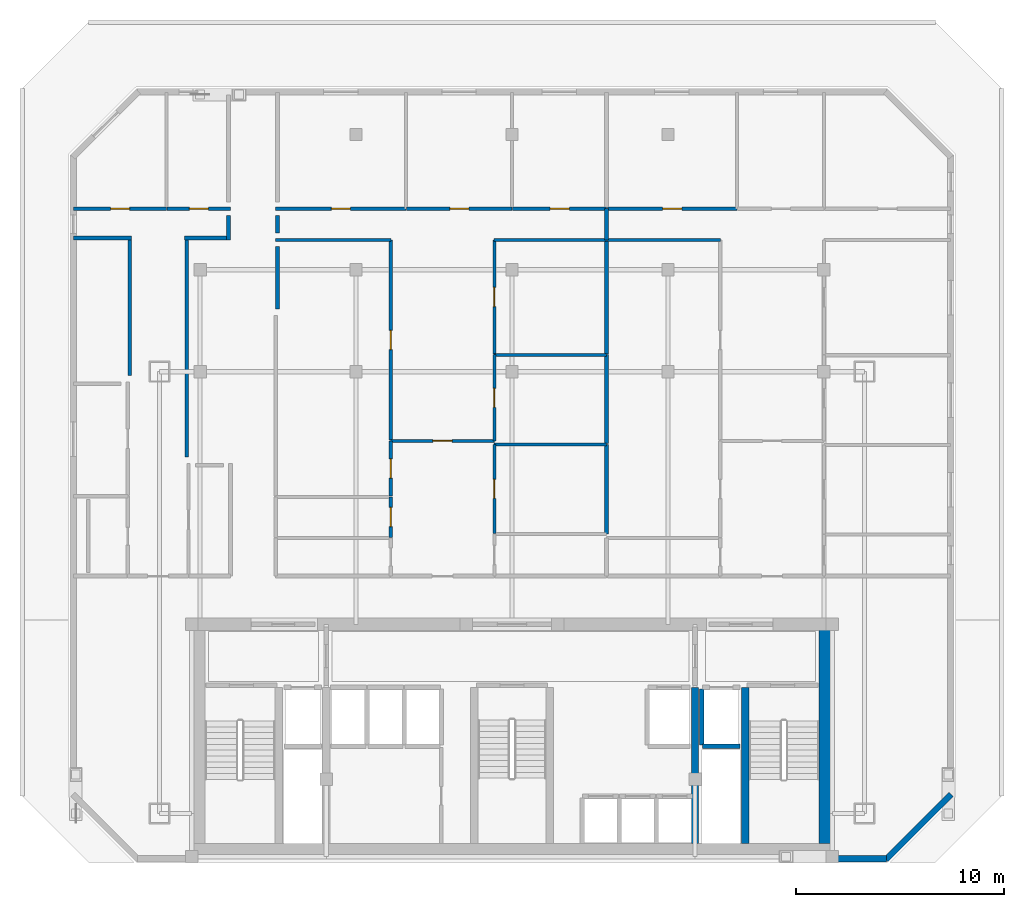
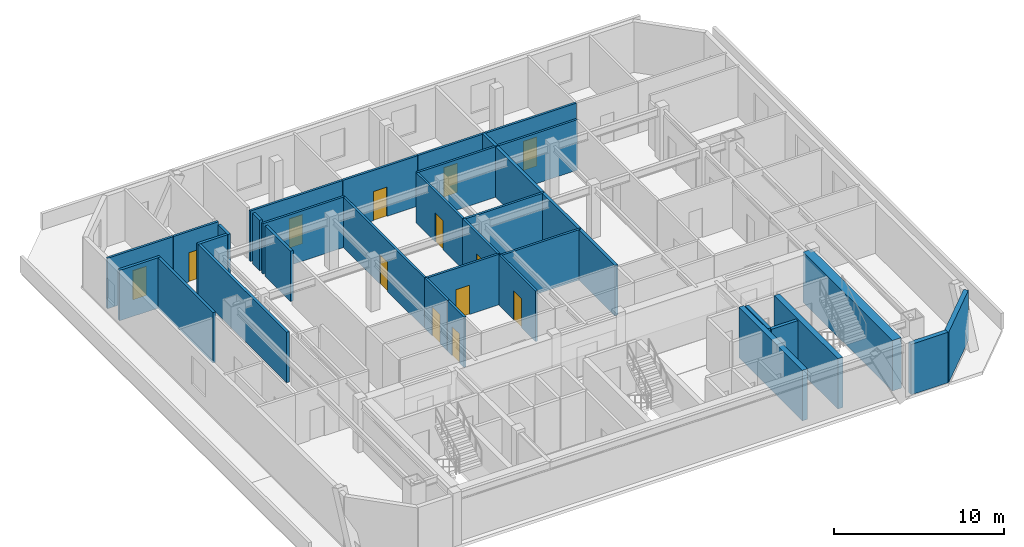
# One storey, part 4 of 7: 36 walls, 13 doors, 13 openings.
"""IFC4 building model written with IfcOpenShell, lengths in metres."""

from ifc_helpers import new_model, si_unit, direction, frame, frame_2d, origin, place, context, subcontext, project, spatial, rectangle, extrude, material, layer, layer_set, type_object, element, fill, save


model = new_model("IFC4")

# Units and contexts
model_context = context("Model", 3, precision=1e-05, world=origin(), true_north=direction((0.0, 1.0)))
body_context = subcontext(model_context, "Body", "Model", "MODEL_VIEW")
ifc_project = project(units=[si_unit("LENGTHUNIT", "METRE"), si_unit("AREAUNIT", "SQUARE_METRE"), si_unit("VOLUMEUNIT", "CUBIC_METRE"), si_unit("PLANEANGLEUNIT", "RADIAN"), si_unit("MASSUNIT", "GRAM", prefix="KILO")], contexts=[model_context])

# Site, building, storey
site_placement = place(None, origin())
site = spatial("IfcSite", under=ifc_project, at=site_placement, CompositionType="ELEMENT")
building_placement = place(site_placement, origin())
building = spatial("IfcBuilding", under=site, at=building_placement, Name="Ventersveld Concourse Tower", CompositionType="ELEMENT")
storey_placement = place(building_placement, frame((0.0, 0.0, 219.550048828125)))
storey = spatial("IfcBuildingStorey", under=building, at=storey_placement, Name="L54", CompositionType="ELEMENT", Elevation=219.550048828125)

# Walls
ifc_material_1 = material(Name="Concrete C50/60", Category="concrete")
ifc_layer_1 = layer(ifc_material_1, 0.35009765625)
ifc_layer_set_1 = layer_set([ifc_layer_1], Name="Concrete C50/60")
wall_type_1 = type_object("IfcWallType", Name="WL-CORE-350U", PredefinedType="SHEAR", material=ifc_layer_set_1)
for number, where, z_axis, x_axis, name in (
    (1, (37.550048828125, 0.919921875, 0.0), (0.0, 0.0, 1.0), (0.0, 1.0, 0.0), "L54 Core Internal Shear Web W-SVL-W"),
    (2, (39.9599609375, 0.919921875, 0.0), (0.0, 0.0, 1.0), (0.0, 1.0, 0.0), "L54 Core Internal Shear Web W-ST2-W"),
):
    element("IfcWall", number, at=place(storey_placement, frame(where, z_axis=z_axis, x_axis=x_axis)), inside=storey, type_object=wall_type_1, Name=name, PredefinedType="SHEAR", context=body_context, shape_type="SweptSolid", body=[
        extrude(rectangle(XDim=7.5, YDim=0.35009765625, at=frame_2d((3.75, 0.0))), origin(), (0.0, 0.0, 1.0), 3.6298828125),
    ])
ifc_layer_2 = layer(ifc_material_1, 0.60009765625)
ifc_layer_set_2 = layer_set([ifc_layer_2], Name="Concrete C50/60")
wall_type_2 = type_object("IfcWallType", Name="WL-CORE-600", PredefinedType="SHEAR", material=ifc_layer_set_2)
wall_1_placement = place(storey_placement, frame((43.800048828125, 0.919921875, 0.0), z_axis=(0.0, 0.0, 1.0), x_axis=(0.0, 1.0, 0.0)))
element("IfcWall", 3, at=wall_1_placement, inside=storey, type_object=wall_type_2, Name="L54 Rear Core East Shear Wall", PredefinedType="SHEAR", context=body_context, shape_type="SweptSolid", body=[
    extrude(rectangle(XDim=10.530029296875, YDim=0.60009765625, at=frame_2d((5.26513671875, 0.0))), origin(), (0.0, 0.0, 1.0), 3.6298828125),
])
ifc_material_2 = material(Name="Fire-rated autoclaved aerated masonry blockwork", Category="masonry")
ifc_layer_3 = layer(ifc_material_2, 0.179931640625)
ifc_layer_set_3 = layer_set([ifc_layer_3], Name="Fire-rated autoclaved aerated masonry blockwork")
wall_type_3 = type_object("IfcWallType", Name="WL-CORR-180", PredefinedType="PARTITIONING", material=ifc_layer_set_3)
wall_2_placement = place(storey_placement, frame((10.36572265625, 23.4208984375, 0.0), z_axis=(0.0, 0.0, 1.0), x_axis=(0.0, 1.0, 0.0)))
element("IfcWall", 4, at=wall_2_placement, inside=storey, type_object=wall_type_3, Name="L54 Room Enclosure Wall SP-L54-54NW-LIV", PredefinedType="PARTITIONING", context=body_context, shape_type="SweptSolid", body=[
    extrude(rectangle(XDim=6.694091796875, YDim=0.179931640625, at=frame_2d((3.34716796875, 0.0))), origin(), (0.0, 0.0, 1.0), 3.6298828125),
])
wall_3_placement = place(storey_placement, frame((10.460693359375, 30.02001953125, 0.0), z_axis=(0.0, 0.0, 1.0), x_axis=(-1.0, 0.0, 0.0)))
element("IfcWall", 5, at=wall_3_placement, inside=storey, type_object=wall_type_3, Name="L54 Room Enclosure Wall SP-L54-54NW-LIV", PredefinedType="PARTITIONING", context=body_context, shape_type="SweptSolid", body=[
    extrude(rectangle(XDim=2.7880859375, YDim=0.179931640625, at=frame_2d((1.39404296875, 0.0))), origin(), (0.0, 0.0, 1.0), 3.6298828125),
])
wall_4_placement = place(storey_placement, frame((15.1201171875, 31.10498046875, 0.0), z_axis=(0.0, 0.0, 1.0), x_axis=(0.0, -1.0, 0.0)))
element("IfcWall", 6, at=wall_4_placement, inside=storey, type_object=wall_type_3, Name="L54 Room Enclosure Wall SP-L54-54NW-LIV", PredefinedType="PARTITIONING", context=body_context, shape_type="SweptSolid", body=[
    extrude(rectangle(XDim=1.179931640625, YDim=0.179931640625, at=frame_2d((0.58984375, 0.0))), origin(), (0.0, 0.0, 1.0), 3.6298828125),
])
wall_5_placement = place(storey_placement, frame((15.215087890625, 30.02001953125, 0.0), z_axis=(0.0, 0.0, 1.0), x_axis=(-1.0, 0.0, 0.0)))
element("IfcWall", 7, at=wall_5_placement, inside=storey, type_object=wall_type_3, Name="L54 Room Enclosure Wall SP-L54-54NW-LIV", PredefinedType="PARTITIONING", context=body_context, shape_type="SweptSolid", body=[
    extrude(rectangle(XDim=2.203857421875, YDim=0.179931640625, at=frame_2d((1.10205078125, 0.0))), origin(), (0.0, 0.0, 1.0), 3.6298828125),
])
wall_6_placement = place(storey_placement, frame((13.106201171875, 30.114990234375, 0.0), z_axis=(0.0, 0.0, 1.0), x_axis=(0.0, -1.0, 0.0)))
element("IfcWall", 8, at=wall_6_placement, inside=storey, type_object=wall_type_3, Name="L54 Room Enclosure Wall SP-L54-54NW-LIV", PredefinedType="PARTITIONING", context=body_context, shape_type="SweptSolid", body=[
    extrude(rectangle(XDim=10.610107421875, YDim=0.179931640625, at=frame_2d((5.30517578125, 0.0))), origin(), (0.0, 0.0, 1.0), 3.6298828125),
])
wall_7_placement = place(storey_placement, frame((17.47998046875, 30.2548828125, 0.0), z_axis=(0.0, 0.0, 1.0), x_axis=(0.0, 1.0, 0.0)))
element("IfcWall", 9, at=wall_7_placement, inside=storey, type_object=wall_type_3, Name="L54 Room Enclosure Wall SP-L54-54N1-LIV", PredefinedType="PARTITIONING", context=body_context, shape_type="SweptSolid", body=[
    extrude(rectangle(XDim=0.85009765625, YDim=0.179931640625, at=frame_2d((0.425048828125, 0.0))), origin(), (0.0, 0.0, 1.0), 3.6298828125),
])
wall_8_placement = place(storey_placement, frame((17.47998046875, 26.60986328125, 0.0), z_axis=(0.0, 0.0, 1.0), x_axis=(0.0, 1.0, 0.0)))
element("IfcWall", 10, at=wall_8_placement, inside=storey, type_object=wall_type_3, Name="L54 Room Enclosure Wall SP-L54-54N1-DENL", PredefinedType="PARTITIONING", context=body_context, shape_type="SweptSolid", body=[
    extrude(rectangle(XDim=2.9951171875, YDim=0.179931640625, at=frame_2d((1.49755859375, 0.0))), origin(), (0.0, 0.0, 1.0), 3.6298828125),
])
ifc_layer_4 = layer(ifc_material_2, 0.199951171875)
ifc_layer_set_4 = layer_set([ifc_layer_4], Name="Fire-rated autoclaved aerated masonry blockwork")
wall_type_4 = type_object("IfcWallType", Name="WL-DEMISE-200", PredefinedType="PARTITIONING", material=ifc_layer_set_4)
wall_9_placement = place(storey_placement, frame((33.300048828125, 29.925048828125, 0.0), z_axis=(0.0, 0.0, 1.0), x_axis=(0.0, 1.0, 0.0)))
element("IfcWall", 11, at=wall_9_placement, inside=storey, type_object=wall_type_4, Name="L54 Interior Partition SP-L54-54N1-LIV-SP-L54-54N2-LIV", PredefinedType="PARTITIONING", context=body_context, shape_type="SweptSolid", body=[
    extrude(rectangle(XDim=1.510009765625, YDim=0.199951171875, at=frame_2d((0.7548828125, 0.0))), origin(), (0.0, 0.0, 1.0), 3.6298828125),
])
wall_10_placement = place(storey_placement, frame((33.300048828125, 15.7841796875, 0.0), z_axis=(0.0, 0.0, 1.0), x_axis=(0.0, 1.0, 0.0)))
element("IfcWall", 12, at=wall_10_placement, inside=storey, type_object=wall_type_4, Name="L54 Interior Partition SP-L54-54N1-DENR-SP-L54-54N2-DENL", PredefinedType="PARTITIONING", context=body_context, shape_type="SweptSolid", body=[
    extrude(rectangle(XDim=4.319091796875, YDim=0.199951171875, at=frame_2d((2.15966796875, 0.0))), origin(), (0.0, 0.0, 1.0), 3.6298828125),
])
wall_11_placement = place(storey_placement, frame((33.300048828125, 20.13330078125, 0.0), z_axis=(0.0, 0.0, 1.0), x_axis=(0.0, 1.0, 0.0)))
element("IfcWall", 13, at=wall_11_placement, inside=storey, type_object=wall_type_4, Name="L54 Interior Partition SP-L54-54N1-DENS-SP-L54-54N2-DENL", PredefinedType="PARTITIONING", context=body_context, shape_type="SweptSolid", body=[
    extrude(rectangle(XDim=4.27880859375, YDim=0.199951171875, at=frame_2d((2.139404296875, 0.0))), origin(), (0.0, 0.0, 1.0), 3.6298828125),
])
wall_12_placement = place(storey_placement, frame((33.300048828125, 24.442138671875, 0.0), z_axis=(0.0, 0.0, 1.0), x_axis=(0.0, 1.0, 0.0)))
element("IfcWall", 14, at=wall_12_placement, inside=storey, type_object=wall_type_4, Name="L54 Interior Partition SP-L54-54N1-DENS2-SP-L54-54N2-DENL", PredefinedType="PARTITIONING", context=body_context, shape_type="SweptSolid", body=[
    extrude(rectangle(XDim=5.452880859375, YDim=0.199951171875, at=frame_2d((2.7265625, 0.0))), origin(), (0.0, 0.0, 1.0), 3.6298828125),
])
ifc_layer_5 = layer(ifc_material_2, 0.219970703125)
ifc_layer_set_5 = layer_set([ifc_layer_5], Name="Fire-rated autoclaved aerated masonry blockwork")
wall_type_5 = type_object("IfcWallType", Name="WL-HOIST-220", PredefinedType="SOLIDWALL", material=ifc_layer_set_5)
wall_13_placement = place(storey_placement, frame((37.919921875, 5.590087890625, 0.0), z_axis=(0.0, 0.0, 1.0), x_axis=(1.0, 0.0, 0.0)))
element("IfcWall", 15, at=wall_13_placement, inside=storey, type_object=wall_type_5, Name="L54 Lift Hoistway Back Wall FFL-02", PredefinedType="SOLIDWALL", context=body_context, shape_type="SweptSolid", body=[
    extrude(rectangle(XDim=1.780029296875, YDim=0.219970703125, at=frame_2d((0.89013671875, 0.0))), origin(), (0.0, 0.0, 1.0), 3.6298828125),
])
wall_14_placement = place(storey_placement, frame((37.8798828125, 5.64990234375, 0.0), z_axis=(0.0, 0.0, 1.0), x_axis=(0.0, 1.0, 0.0)))
element("IfcWall", 16, at=wall_14_placement, inside=storey, type_object=wall_type_5, Name="L54 Lift Hoistway Side Wall FFL-02W", PredefinedType="SOLIDWALL", context=body_context, shape_type="SweptSolid", body=[
    extrude(rectangle(XDim=2.7001953125, YDim=0.219970703125, at=frame_2d((1.35009765625, 0.0))), origin(), (0.0, 0.0, 1.0), 3.6298828125),
])

# Wall, opening, door
ifc_material_3 = material(Name="Autoclaved aerated masonry blockwork", Category="masonry")
ifc_layer_6 = layer(ifc_material_3, 0.14990234375)
ifc_layer_set_6 = layer_set([ifc_layer_6], Name="Autoclaved aerated masonry blockwork")
wall_type_6 = type_object("IfcWallType", Name="WL-INT-150", PredefinedType="PARTITIONING", material=ifc_layer_set_6)
wall_15_placement = place(storey_placement, frame((7.672607421875, 31.429931640625, 0.0), z_axis=(0.0, 0.0, 1.0), x_axis=(1.0, 0.0, 0.0)))
wall_15 = element("IfcWall", 17, at=wall_15_placement, inside=storey, type_object=wall_type_6, Name="L54 Interior Partition SP-L54-54NW-LIV-SP-L54-54NW-BR1", PredefinedType="PARTITIONING", context=body_context, shape_type="SweptSolid", body=[
    extrude(rectangle(XDim=4.46826171875, YDim=0.14990234375, at=frame_2d((2.234130859375, 0.0))), origin(), (0.0, 0.0, 1.0), 3.6298828125),
])
opening_1_placement = place(wall_15_placement, frame((1.774169921875, 0.0, 0.0)))
opening_1 = element("IfcOpeningElement", 18, at=opening_1_placement, cuts=wall_15, Name="Opening ID1", PredefinedType="OPENING", context=body_context, shape_type="SweptSolid", body=[
    extrude(rectangle(XDim=0.919921875, YDim=2.10009765625, at=frame_2d((0.4599609375, 1.050048828125))), frame((0.0, 0.0849609375, 0.0), z_axis=(0.0, -1.0, 0.0), x_axis=(1.0, 0.0, 0.0)), (0.0, 0.0, 1.0), 0.169921875),
])
ifc_material_4 = material(Name="Solid-core hardwood veneer timber", Category="wood")
door_type = type_object("IfcDoorType", Name="DR-ROOM-092", OperationType="NOTDEFINED", PredefinedType="DOOR", material=ifc_material_4)
door_1_placement = place(opening_1_placement, origin())
door_1 = element("IfcDoor", 19, at=door_1_placement, inside=storey, type_object=door_type, Name="L54 Interior Door SP-L54-54NW-LIV to SP-L54-54NW-BR1 (D-L54-2629)", OperationType="SINGLE_SWING_LEFT", OverallHeight=2.10009765625, OverallWidth=0.919921875, PredefinedType="DOOR", context=body_context, shape_type="SweptSolid", body=[
    extrude(rectangle(XDim=0.919921875, YDim=2.10009765625, at=frame_2d((0.4599609375, 1.050048828125))), frame((0.0, 0.02490234375, 0.0), z_axis=(0.0, -1.0, 0.0), x_axis=(1.0, 0.0, 0.0)), (0.0, 0.0, 1.0), 0.050048828125),
])
fill(opening_1, door_1)

wall_16_placement = place(storey_placement, frame((12.1708984375, 31.429931640625, 0.0), z_axis=(0.0, 0.0, 1.0), x_axis=(1.0, 0.0, 0.0)))
wall_16 = element("IfcWall", 20, at=wall_16_placement, inside=storey, type_object=wall_type_6, Name="L54 Interior Partition SP-L54-54NW-LIV-SP-L54-54NW-BR2", PredefinedType="PARTITIONING", context=body_context, shape_type="SweptSolid", body=[
    extrude(rectangle(XDim=3.044189453125, YDim=0.14990234375, at=frame_2d((1.52197265625, 0.0))), origin(), (0.0, 0.0, 1.0), 3.6298828125),
])
opening_2_placement = place(wall_16_placement, frame((1.06201171875, 0.0, 0.0)))
opening_2 = element("IfcOpeningElement", 21, at=opening_2_placement, cuts=wall_16, Name="Opening ID1", PredefinedType="OPENING", context=body_context, shape_type="SweptSolid", body=[
    extrude(rectangle(XDim=0.919921875, YDim=2.10009765625, at=frame_2d((0.4599609375, 1.050048828125))), frame((0.0, 0.0849609375, 0.0), z_axis=(0.0, -1.0, 0.0), x_axis=(1.0, 0.0, 0.0)), (0.0, 0.0, 1.0), 0.169921875),
])
door_2_placement = place(opening_2_placement, origin())
door_2 = element("IfcDoor", 22, at=door_2_placement, inside=storey, type_object=door_type, Name="L54 Interior Door SP-L54-54NW-LIV to SP-L54-54NW-BR2 (D-L54-2630)", OperationType="SINGLE_SWING_RIGHT", OverallHeight=2.10009765625, OverallWidth=0.919921875, PredefinedType="DOOR", context=body_context, shape_type="SweptSolid", body=[
    extrude(rectangle(XDim=0.919921875, YDim=2.10009765625, at=frame_2d((0.4599609375, 1.050048828125))), frame((0.0, 0.02490234375, 0.0), z_axis=(0.0, -1.0, 0.0), x_axis=(1.0, 0.0, 0.0)), (0.0, 0.0, 1.0), 0.050048828125),
])
fill(opening_2, door_2)

wall_17_placement = place(storey_placement, frame((22.915283203125, 20.26904296875, 0.0), z_axis=(0.0, 0.0, 1.0), x_axis=(1.0, 0.0, 0.0)))
wall_17 = element("IfcWall", 23, at=wall_17_placement, inside=storey, type_object=wall_type_6, Name="L54 Interior Partition SP-L54-54N1-FOY-SP-L54-54N1-LIV", PredefinedType="PARTITIONING", context=body_context, shape_type="SweptSolid", body=[
    extrude(rectangle(XDim=4.990234375, YDim=0.14990234375, at=frame_2d((2.4951171875, 0.0))), origin(), (0.0, 0.0, 1.0), 3.6298828125),
])
opening_3_placement = place(wall_17_placement, frame((2.034912109375, 0.0, 0.0)))
opening_3 = element("IfcOpeningElement", 24, at=opening_3_placement, cuts=wall_17, Name="Opening ID1", PredefinedType="OPENING", context=body_context, shape_type="SweptSolid", body=[
    extrude(rectangle(XDim=0.919921875, YDim=2.10009765625, at=frame_2d((0.4599609375, 1.050048828125))), frame((0.0, 0.0849609375, 0.0), z_axis=(0.0, -1.0, 0.0), x_axis=(1.0, 0.0, 0.0)), (0.0, 0.0, 1.0), 0.169921875),
])
door_3_placement = place(opening_3_placement, origin())
door_3 = element("IfcDoor", 25, at=door_3_placement, inside=storey, type_object=door_type, Name="L54 Interior Door SP-L54-54N1-FOY to SP-L54-54N1-LIV (D-L54-2631)", OperationType="SINGLE_SWING_LEFT", OverallHeight=2.10009765625, OverallWidth=0.919921875, PredefinedType="DOOR", context=body_context, shape_type="SweptSolid", body=[
    extrude(rectangle(XDim=0.919921875, YDim=2.10009765625, at=frame_2d((0.4599609375, 1.050048828125))), frame((0.0, 0.02490234375, 0.0), z_axis=(0.0, -1.0, 0.0), x_axis=(1.0, 0.0, 0.0)), (0.0, 0.0, 1.0), 0.050048828125),
])
fill(opening_3, door_3)

wall_18_placement = place(storey_placement, frame((22.92041015625, 15.635009765625, 0.0), z_axis=(0.0, 0.0, 1.0), x_axis=(0.0, 1.0, 0.0)))
wall_18 = element("IfcWall", 26, at=wall_18_placement, inside=storey, type_object=wall_type_6, Name="L54 Interior Partition SP-L54-54N1-FOY-SP-L54-54N1-PANL0", PredefinedType="PARTITIONING", context=body_context, shape_type="SweptSolid", body=[
    extrude(rectangle(XDim=1.9443359375, YDim=0.14990234375, at=frame_2d((0.97216796875, 0.0))), origin(), (0.0, 0.0, 1.0), 3.6298828125),
])
opening_4_placement = place(wall_18_placement, frame((0.51220703125, 0.0, 0.0)))
opening_4 = element("IfcOpeningElement", 27, at=opening_4_placement, cuts=wall_18, Name="Opening ID1", PredefinedType="OPENING", context=body_context, shape_type="SweptSolid", body=[
    extrude(rectangle(XDim=0.919921875, YDim=2.10009765625, at=frame_2d((0.4599609375, 1.050048828125))), frame((0.0, 0.0849609375, 0.0), z_axis=(0.0, -1.0, 0.0), x_axis=(1.0, 0.0, 0.0)), (0.0, 0.0, 1.0), 0.169921875),
])
door_4_placement = place(opening_4_placement, origin())
door_4 = element("IfcDoor", 28, at=door_4_placement, inside=storey, type_object=door_type, Name="L54 Interior Door SP-L54-54N1-FOY to SP-L54-54N1-PANL0 (D-L54-2633)", OperationType="SINGLE_SWING_LEFT", OverallHeight=2.10009765625, OverallWidth=0.919921875, PredefinedType="DOOR", context=body_context, shape_type="SweptSolid", body=[
    extrude(rectangle(XDim=0.919921875, YDim=2.10009765625, at=frame_2d((0.4599609375, 1.050048828125))), frame((0.0, 0.02490234375, 0.0), z_axis=(0.0, -1.0, 0.0), x_axis=(1.0, 0.0, 0.0)), (0.0, 0.0, 1.0), 0.050048828125),
])
fill(opening_4, door_4)

wall_19_placement = place(storey_placement, frame((22.92041015625, 17.609375, 0.0), z_axis=(0.0, 0.0, 1.0), x_axis=(0.0, 1.0, 0.0)))
wall_19 = element("IfcWall", 29, at=wall_19_placement, inside=storey, type_object=wall_type_6, Name="L54 Interior Partition SP-L54-54N1-FOY-SP-L54-54N1-DENL", PredefinedType="PARTITIONING", context=body_context, shape_type="SweptSolid", body=[
    extrude(rectangle(XDim=2.664794921875, YDim=0.14990234375, at=frame_2d((1.33251953125, 0.0))), origin(), (0.0, 0.0, 1.0), 3.6298828125),
])
opening_5_placement = place(wall_19_placement, frame((0.872314453125, 0.0, 0.0)))
opening_5 = element("IfcOpeningElement", 30, at=opening_5_placement, cuts=wall_19, Name="Opening ID1", PredefinedType="OPENING", context=body_context, shape_type="SweptSolid", body=[
    extrude(rectangle(XDim=0.919921875, YDim=2.10009765625, at=frame_2d((0.4599609375, 1.050048828125))), frame((0.0, 0.0849609375, 0.0), z_axis=(0.0, -1.0, 0.0), x_axis=(1.0, 0.0, 0.0)), (0.0, 0.0, 1.0), 0.169921875),
])
door_5_placement = place(opening_5_placement, origin())
door_5 = element("IfcDoor", 31, at=door_5_placement, inside=storey, type_object=door_type, Name="L54 Interior Door SP-L54-54N1-FOY to SP-L54-54N1-DENL (D-L54-2634)", OperationType="SINGLE_SWING_RIGHT", OverallHeight=2.10009765625, OverallWidth=0.919921875, PredefinedType="DOOR", context=body_context, shape_type="SweptSolid", body=[
    extrude(rectangle(XDim=0.919921875, YDim=2.10009765625, at=frame_2d((0.4599609375, 1.050048828125))), frame((0.0, 0.02490234375, 0.0), z_axis=(0.0, -1.0, 0.0), x_axis=(1.0, 0.0, 0.0)), (0.0, 0.0, 1.0), 0.050048828125),
])
fill(opening_5, door_5)

wall_20_placement = place(storey_placement, frame((27.900390625, 15.82421875, 0.0), z_axis=(0.0, 0.0, 1.0), x_axis=(0.0, 1.0, 0.0)))
wall_20 = element("IfcWall", 32, at=wall_20_placement, inside=storey, type_object=wall_type_6, Name="L54 Interior Partition SP-L54-54N1-FOY-SP-L54-54N1-DENR", PredefinedType="PARTITIONING", context=body_context, shape_type="SweptSolid", body=[
    extrude(rectangle(XDim=4.279052734375, YDim=0.14990234375, at=frame_2d((2.1396484375, 0.0))), origin(), (0.0, 0.0, 1.0), 3.6298828125),
])
opening_6_placement = place(wall_20_placement, frame((1.679443359375, 0.0, 0.0)))
opening_6 = element("IfcOpeningElement", 33, at=opening_6_placement, cuts=wall_20, Name="Opening ID1", PredefinedType="OPENING", context=body_context, shape_type="SweptSolid", body=[
    extrude(rectangle(XDim=0.919921875, YDim=2.10009765625, at=frame_2d((0.4599609375, 1.050048828125))), frame((0.0, 0.0849609375, 0.0), z_axis=(0.0, -1.0, 0.0), x_axis=(1.0, 0.0, 0.0)), (0.0, 0.0, 1.0), 0.169921875),
])
door_6_placement = place(opening_6_placement, origin())
door_6 = element("IfcDoor", 34, at=door_6_placement, inside=storey, type_object=door_type, Name="L54 Interior Door SP-L54-54N1-FOY to SP-L54-54N1-DENR (D-L54-2636)", OperationType="SINGLE_SWING_RIGHT", OverallHeight=2.10009765625, OverallWidth=0.919921875, PredefinedType="DOOR", context=body_context, shape_type="SweptSolid", body=[
    extrude(rectangle(XDim=0.919921875, YDim=2.10009765625, at=frame_2d((0.4599609375, 1.050048828125))), frame((0.0, 0.02490234375, 0.0), z_axis=(0.0, -1.0, 0.0), x_axis=(1.0, 0.0, 0.0)), (0.0, 0.0, 1.0), 0.050048828125),
])
fill(opening_6, door_6)

wall_21_placement = place(storey_placement, frame((22.92041015625, 20.30419921875, 0.0), z_axis=(0.0, 0.0, 1.0), x_axis=(0.0, 1.0, 0.0)))
wall_21 = element("IfcWall", 35, at=wall_21_placement, inside=storey, type_object=wall_type_6, Name="L54 Interior Partition SP-L54-54N1-LIV-SP-L54-54N1-DENL", PredefinedType="PARTITIONING", context=body_context, shape_type="SweptSolid", body=[
    extrude(rectangle(XDim=9.630859375, YDim=0.14990234375, at=frame_2d((4.8154296875, 0.0))), origin(), (0.0, 0.0, 1.0), 3.6298828125),
])
opening_7_placement = place(wall_21_placement, frame((4.35546875, 0.0, 0.0)))
opening_7 = element("IfcOpeningElement", 36, at=opening_7_placement, cuts=wall_21, Name="Opening ID1", PredefinedType="OPENING", context=body_context, shape_type="SweptSolid", body=[
    extrude(rectangle(XDim=0.919921875, YDim=2.10009765625, at=frame_2d((0.4599609375, 1.050048828125))), frame((0.0, 0.0849609375, 0.0), z_axis=(0.0, -1.0, 0.0), x_axis=(1.0, 0.0, 0.0)), (0.0, 0.0, 1.0), 0.169921875),
])
door_7_placement = place(opening_7_placement, origin())
door_7 = element("IfcDoor", 37, at=door_7_placement, inside=storey, type_object=door_type, Name="L54 Interior Door SP-L54-54N1-LIV to SP-L54-54N1-DENL (D-L54-2637)", OperationType="SINGLE_SWING_LEFT", OverallHeight=2.10009765625, OverallWidth=0.919921875, PredefinedType="DOOR", context=body_context, shape_type="SweptSolid", body=[
    extrude(rectangle(XDim=0.919921875, YDim=2.10009765625, at=frame_2d((0.4599609375, 1.050048828125))), frame((0.0, 0.02490234375, 0.0), z_axis=(0.0, -1.0, 0.0), x_axis=(1.0, 0.0, 0.0)), (0.0, 0.0, 1.0), 0.050048828125),
])
fill(opening_7, door_7)

# Wall
wall_22_placement = place(storey_placement, frame((17.385009765625, 29.929931640625, 0.0), z_axis=(0.0, 0.0, 1.0), x_axis=(1.0, 0.0, 0.0)))
element("IfcWall", 38, at=wall_22_placement, inside=storey, type_object=wall_type_6, Name="L54 Interior Partition SP-L54-54N1-LIV-SP-L54-54N1-DENL", PredefinedType="PARTITIONING", context=body_context, shape_type="SweptSolid", body=[
    extrude(rectangle(XDim=5.540283203125, YDim=0.14990234375, at=frame_2d((2.77001953125, 0.0))), origin(), (0.0, 0.0, 1.0), 3.6298828125),
])

# Wall, opening, door
wall_23_placement = place(storey_placement, frame((27.900390625, 20.26416015625, 0.0), z_axis=(0.0, 0.0, 1.0), x_axis=(0.0, 1.0, 0.0)))
wall_23 = element("IfcWall", 39, at=wall_23_placement, inside=storey, type_object=wall_type_6, Name="L54 Interior Partition SP-L54-54N1-LIV-SP-L54-54N1-DENS", PredefinedType="PARTITIONING", context=body_context, shape_type="SweptSolid", body=[
    extrude(rectangle(XDim=4.14794921875, YDim=0.14990234375, at=frame_2d((2.073974609375, 0.0))), origin(), (0.0, 0.0, 1.0), 3.6298828125),
])
opening_8_placement = place(wall_23_placement, frame((1.614013671875, 0.0, 0.0)))
opening_8 = element("IfcOpeningElement", 40, at=opening_8_placement, cuts=wall_23, Name="Opening ID1", PredefinedType="OPENING", context=body_context, shape_type="SweptSolid", body=[
    extrude(rectangle(XDim=0.919921875, YDim=2.10009765625, at=frame_2d((0.4599609375, 1.050048828125))), frame((0.0, 0.0849609375, 0.0), z_axis=(0.0, -1.0, 0.0), x_axis=(1.0, 0.0, 0.0)), (0.0, 0.0, 1.0), 0.169921875),
])
door_8_placement = place(opening_8_placement, origin())
door_8 = element("IfcDoor", 41, at=door_8_placement, inside=storey, type_object=door_type, Name="L54 Interior Door SP-L54-54N1-LIV to SP-L54-54N1-DENS (D-L54-2638)", OperationType="SINGLE_SWING_RIGHT", OverallHeight=2.10009765625, OverallWidth=0.919921875, PredefinedType="DOOR", context=body_context, shape_type="SweptSolid", body=[
    extrude(rectangle(XDim=0.919921875, YDim=2.10009765625, at=frame_2d((0.4599609375, 1.050048828125))), frame((0.0, 0.02490234375, 0.0), z_axis=(0.0, -1.0, 0.0), x_axis=(1.0, 0.0, 0.0)), (0.0, 0.0, 1.0), 0.050048828125),
])
fill(opening_8, door_8)

wall_24_placement = place(storey_placement, frame((27.900390625, 24.442138671875, 0.0), z_axis=(0.0, 0.0, 1.0), x_axis=(0.0, 1.0, 0.0)))
wall_24 = element("IfcWall", 42, at=wall_24_placement, inside=storey, type_object=wall_type_6, Name="L54 Interior Partition SP-L54-54N1-LIV-SP-L54-54N1-DENS2", PredefinedType="PARTITIONING", context=body_context, shape_type="SweptSolid", body=[
    extrude(rectangle(XDim=5.492919921875, YDim=0.14990234375, at=frame_2d((2.74658203125, 0.0))), origin(), (0.0, 0.0, 1.0), 3.6298828125),
])
opening_9_placement = place(wall_24_placement, frame((2.286376953125, 0.0, 0.0)))
opening_9 = element("IfcOpeningElement", 43, at=opening_9_placement, cuts=wall_24, Name="Opening ID1", PredefinedType="OPENING", context=body_context, shape_type="SweptSolid", body=[
    extrude(rectangle(XDim=0.919921875, YDim=2.10009765625, at=frame_2d((0.4599609375, 1.050048828125))), frame((0.0, 0.0849609375, 0.0), z_axis=(0.0, -1.0, 0.0), x_axis=(1.0, 0.0, 0.0)), (0.0, 0.0, 1.0), 0.169921875),
])
door_9_placement = place(opening_9_placement, origin())
door_9 = element("IfcDoor", 44, at=door_9_placement, inside=storey, type_object=door_type, Name="L54 Interior Door SP-L54-54N1-LIV to SP-L54-54N1-DENS2 (D-L54-2639)", OperationType="SINGLE_SWING_LEFT", OverallHeight=2.10009765625, OverallWidth=0.919921875, PredefinedType="DOOR", context=body_context, shape_type="SweptSolid", body=[
    extrude(rectangle(XDim=0.919921875, YDim=2.10009765625, at=frame_2d((0.4599609375, 1.050048828125))), frame((0.0, 0.02490234375, 0.0), z_axis=(0.0, -1.0, 0.0), x_axis=(1.0, 0.0, 0.0)), (0.0, 0.0, 1.0), 0.050048828125),
])
fill(opening_9, door_9)

# Wall
wall_25_placement = place(storey_placement, frame((27.8955078125, 29.929931640625, 0.0), z_axis=(0.0, 0.0, 1.0), x_axis=(1.0, 0.0, 0.0)))
element("IfcWall", 45, at=wall_25_placement, inside=storey, type_object=wall_type_6, Name="L54 Interior Partition SP-L54-54N1-LIV-SP-L54-54N1-DENS2", PredefinedType="PARTITIONING", context=body_context, shape_type="SweptSolid", body=[
    extrude(rectangle(XDim=5.409423828125, YDim=0.14990234375, at=frame_2d((2.70458984375, 0.0))), origin(), (0.0, 0.0, 1.0), 3.6298828125),
])

# Wall, opening, door
wall_26_placement = place(storey_placement, frame((17.385009765625, 31.429931640625, 0.0), z_axis=(0.0, 0.0, 1.0), x_axis=(1.0, 0.0, 0.0)))
wall_26 = element("IfcWall", 46, at=wall_26_placement, inside=storey, type_object=wall_type_6, Name="L54 Interior Partition SP-L54-54N1-LIV-SP-L54-54N1-BR1", PredefinedType="PARTITIONING", context=body_context, shape_type="SweptSolid", body=[
    extrude(rectangle(XDim=6.27392578125, YDim=0.14990234375, at=frame_2d((3.136962890625, 0.0))), origin(), (0.0, 0.0, 1.0), 3.6298828125),
])
opening_10_placement = place(wall_26_placement, frame((2.677001953125, 0.0, 0.0)))
opening_10 = element("IfcOpeningElement", 47, at=opening_10_placement, cuts=wall_26, Name="Opening ID1", PredefinedType="OPENING", context=body_context, shape_type="SweptSolid", body=[
    extrude(rectangle(XDim=0.919921875, YDim=2.10009765625, at=frame_2d((0.4599609375, 1.050048828125))), frame((0.0, 0.0849609375, 0.0), z_axis=(0.0, -1.0, 0.0), x_axis=(1.0, 0.0, 0.0)), (0.0, 0.0, 1.0), 0.169921875),
])
door_10_placement = place(opening_10_placement, origin())
door_10 = element("IfcDoor", 48, at=door_10_placement, inside=storey, type_object=door_type, Name="L54 Interior Door SP-L54-54N1-LIV to SP-L54-54N1-BR1 (D-L54-2640)", OperationType="SINGLE_SWING_RIGHT", OverallHeight=2.10009765625, OverallWidth=0.919921875, PredefinedType="DOOR", context=body_context, shape_type="SweptSolid", body=[
    extrude(rectangle(XDim=0.919921875, YDim=2.10009765625, at=frame_2d((0.4599609375, 1.050048828125))), frame((0.0, 0.02490234375, 0.0), z_axis=(0.0, -1.0, 0.0), x_axis=(1.0, 0.0, 0.0)), (0.0, 0.0, 1.0), 0.050048828125),
])
fill(opening_10, door_10)

wall_27_placement = place(storey_placement, frame((23.68896484375, 31.429931640625, 0.0), z_axis=(0.0, 0.0, 1.0), x_axis=(1.0, 0.0, 0.0)))
wall_27 = element("IfcWall", 49, at=wall_27_placement, inside=storey, type_object=wall_type_6, Name="L54 Interior Partition SP-L54-54N1-LIV-SP-L54-54N1-BR2", PredefinedType="PARTITIONING", context=body_context, shape_type="SweptSolid", body=[
    extrude(rectangle(XDim=5.06591796875, YDim=0.14990234375, at=frame_2d((2.532958984375, 0.0))), origin(), (0.0, 0.0, 1.0), 3.6298828125),
])
opening_11_placement = place(wall_27_placement, frame((2.072998046875, 0.0, 0.0)))
opening_11 = element("IfcOpeningElement", 50, at=opening_11_placement, cuts=wall_27, Name="Opening ID1", PredefinedType="OPENING", context=body_context, shape_type="SweptSolid", body=[
    extrude(rectangle(XDim=0.919921875, YDim=2.10009765625, at=frame_2d((0.4599609375, 1.050048828125))), frame((0.0, 0.0849609375, 0.0), z_axis=(0.0, -1.0, 0.0), x_axis=(1.0, 0.0, 0.0)), (0.0, 0.0, 1.0), 0.169921875),
])
door_11_placement = place(opening_11_placement, origin())
door_11 = element("IfcDoor", 51, at=door_11_placement, inside=storey, type_object=door_type, Name="L54 Interior Door SP-L54-54N1-LIV to SP-L54-54N1-BR2 (D-L54-2641)", OperationType="SINGLE_SWING_LEFT", OverallHeight=2.10009765625, OverallWidth=0.919921875, PredefinedType="DOOR", context=body_context, shape_type="SweptSolid", body=[
    extrude(rectangle(XDim=0.919921875, YDim=2.10009765625, at=frame_2d((0.4599609375, 1.050048828125))), frame((0.0, 0.02490234375, 0.0), z_axis=(0.0, -1.0, 0.0), x_axis=(1.0, 0.0, 0.0)), (0.0, 0.0, 1.0), 0.050048828125),
])
fill(opening_11, door_11)

wall_28_placement = place(storey_placement, frame((28.784912109375, 31.429931640625, 0.0), z_axis=(0.0, 0.0, 1.0), x_axis=(1.0, 0.0, 0.0)))
wall_28 = element("IfcWall", 52, at=wall_28_placement, inside=storey, type_object=wall_type_6, Name="L54 Interior Partition SP-L54-54N1-LIV-SP-L54-54N1-BR3", PredefinedType="PARTITIONING", context=body_context, shape_type="SweptSolid", body=[
    extrude(rectangle(XDim=4.52001953125, YDim=0.14990234375, at=frame_2d((2.260009765625, 0.0))), origin(), (0.0, 0.0, 1.0), 3.6298828125),
])
opening_12_placement = place(wall_28_placement, frame((1.800048828125, 0.0, 0.0)))
opening_12 = element("IfcOpeningElement", 53, at=opening_12_placement, cuts=wall_28, Name="Opening ID1", PredefinedType="OPENING", context=body_context, shape_type="SweptSolid", body=[
    extrude(rectangle(XDim=0.919921875, YDim=2.10009765625, at=frame_2d((0.4599609375, 1.050048828125))), frame((0.0, 0.0849609375, 0.0), z_axis=(0.0, -1.0, 0.0), x_axis=(1.0, 0.0, 0.0)), (0.0, 0.0, 1.0), 0.169921875),
])
door_12_placement = place(opening_12_placement, origin())
door_12 = element("IfcDoor", 54, at=door_12_placement, inside=storey, type_object=door_type, Name="L54 Interior Door SP-L54-54N1-LIV to SP-L54-54N1-BR3 (D-L54-2642)", OperationType="SINGLE_SWING_RIGHT", OverallHeight=2.10009765625, OverallWidth=0.919921875, PredefinedType="DOOR", context=body_context, shape_type="SweptSolid", body=[
    extrude(rectangle(XDim=0.919921875, YDim=2.10009765625, at=frame_2d((0.4599609375, 1.050048828125))), frame((0.0, 0.02490234375, 0.0), z_axis=(0.0, -1.0, 0.0), x_axis=(1.0, 0.0, 0.0)), (0.0, 0.0, 1.0), 0.050048828125),
])
fill(opening_12, door_12)

# Walls
for number, where, z_axis, x_axis, name in (
    (55, (27.8955078125, 20.09814453125, 0.0), (0.0, 0.0, 1.0), (1.0, 0.0, 0.0), "L54 Interior Partition SP-L54-54N1-DENR-SP-L54-54N1-DENS"),
    (56, (27.8955078125, 24.4072265625, 0.0), (0.0, 0.0, 1.0), (1.0, 0.0, 0.0), "L54 Interior Partition SP-L54-54N1-DENS-SP-L54-54N1-DENS2"),
):
    element("IfcWall", number, at=place(storey_placement, frame(where, z_axis=z_axis, x_axis=x_axis)), inside=storey, type_object=wall_type_6, Name=name, PredefinedType="PARTITIONING", context=body_context, shape_type="SweptSolid", body=[
        extrude(rectangle(XDim=5.409423828125, YDim=0.14990234375, at=frame_2d((2.70458984375, 0.0))), origin(), (0.0, 0.0, 1.0), 3.6298828125),
    ])
wall_29_placement = place(storey_placement, frame((33.3349609375, 29.929931640625, 0.0), z_axis=(0.0, 0.0, 1.0), x_axis=(1.0, 0.0, 0.0)))
element("IfcWall", 57, at=wall_29_placement, inside=storey, type_object=wall_type_6, Name="L54 Interior Partition SP-L54-54N2-LIV-SP-L54-54N2-DENL", PredefinedType="PARTITIONING", context=body_context, shape_type="SweptSolid", body=[
    extrude(rectangle(XDim=5.43505859375, YDim=0.14990234375, at=frame_2d((2.717529296875, 0.0))), origin(), (0.0, 0.0, 1.0), 3.6298828125),
])

# Wall, opening, door
wall_30_placement = place(storey_placement, frame((33.3349609375, 31.429931640625, 0.0), z_axis=(0.0, 0.0, 1.0), x_axis=(1.0, 0.0, 0.0)))
wall_30 = element("IfcWall", 58, at=wall_30_placement, inside=storey, type_object=wall_type_6, Name="L54 Interior Partition SP-L54-54N2-LIV-SP-L54-54N2-BR1", PredefinedType="PARTITIONING", context=body_context, shape_type="SweptSolid", body=[
    extrude(rectangle(XDim=6.234130859375, YDim=0.14990234375, at=frame_2d((3.1171875, 0.0))), origin(), (0.0, 0.0, 1.0), 3.6298828125),
])
opening_13_placement = place(wall_30_placement, frame((2.656982421875, 0.0, 0.0)))
opening_13 = element("IfcOpeningElement", 59, at=opening_13_placement, cuts=wall_30, Name="Opening ID1", PredefinedType="OPENING", context=body_context, shape_type="SweptSolid", body=[
    extrude(rectangle(XDim=0.919921875, YDim=2.10009765625, at=frame_2d((0.4599609375, 1.050048828125))), frame((0.0, 0.0849609375, 0.0), z_axis=(0.0, -1.0, 0.0), x_axis=(1.0, 0.0, 0.0)), (0.0, 0.0, 1.0), 0.169921875),
])
door_13_placement = place(opening_13_placement, origin())
door_13 = element("IfcDoor", 60, at=door_13_placement, inside=storey, type_object=door_type, Name="L54 Interior Door SP-L54-54N2-LIV to SP-L54-54N2-BR1 (D-L54-2651)", OperationType="SINGLE_SWING_LEFT", OverallHeight=2.10009765625, OverallWidth=0.919921875, PredefinedType="DOOR", context=body_context, shape_type="SweptSolid", body=[
    extrude(rectangle(XDim=0.919921875, YDim=2.10009765625, at=frame_2d((0.4599609375, 1.050048828125))), frame((0.0, 0.02490234375, 0.0), z_axis=(0.0, -1.0, 0.0), x_axis=(1.0, 0.0, 0.0)), (0.0, 0.0, 1.0), 0.050048828125),
])
fill(opening_13, door_13)

# Walls
ifc_material_5 = material(Name="Precast concrete C45/55", Category="concrete")
ifc_layer_7 = layer(ifc_material_5, 0.300048828125)
ifc_layer_set_7 = layer_set([ifc_layer_7], Name="Precast concrete C45/55")
wall_type_7 = type_object("IfcWallType", Name="WL-PREC-300", PredefinedType="SOLIDWALL", material=ifc_layer_set_7)
wall_31_placement = place(storey_placement, frame((44.25, 0.179931640625, 0.0), z_axis=(0.0, 0.0, 1.0), x_axis=(1.0, 0.0, 0.0)))
element("IfcWall", 61, at=wall_31_placement, inside=storey, type_object=wall_type_7, Name="L54 South-East Flank Precast Wall", PredefinedType="SOLIDWALL", context=body_context, shape_type="SweptSolid", body=[
    extrude(rectangle(XDim=2.510009765625, YDim=0.300048828125, at=frame_2d((1.2548828125, 0.0))), origin(), (0.0, 0.0, 1.0), 3.6298828125),
])
wall_32_placement = place(storey_placement, frame((46.72216796875, 0.134521484375, 0.0), z_axis=(0.0, 0.0, 1.0), x_axis=(0.707106781187, 0.707106781187, 0.0)))
element("IfcWall", 62, at=wall_32_placement, inside=storey, type_object=wall_type_7, Name="L54 Highveld Precast Facade Wall E02", PredefinedType="SOLIDWALL", context=body_context, shape_type="SweptSolid", body=[
    extrude(rectangle(XDim=4.4453125, YDim=0.300048828125, at=frame_2d((2.22265625, 0.0))), origin(), (0.0, 0.0, 1.0), 3.6298828125),
])

save(model, "model.ifc")
